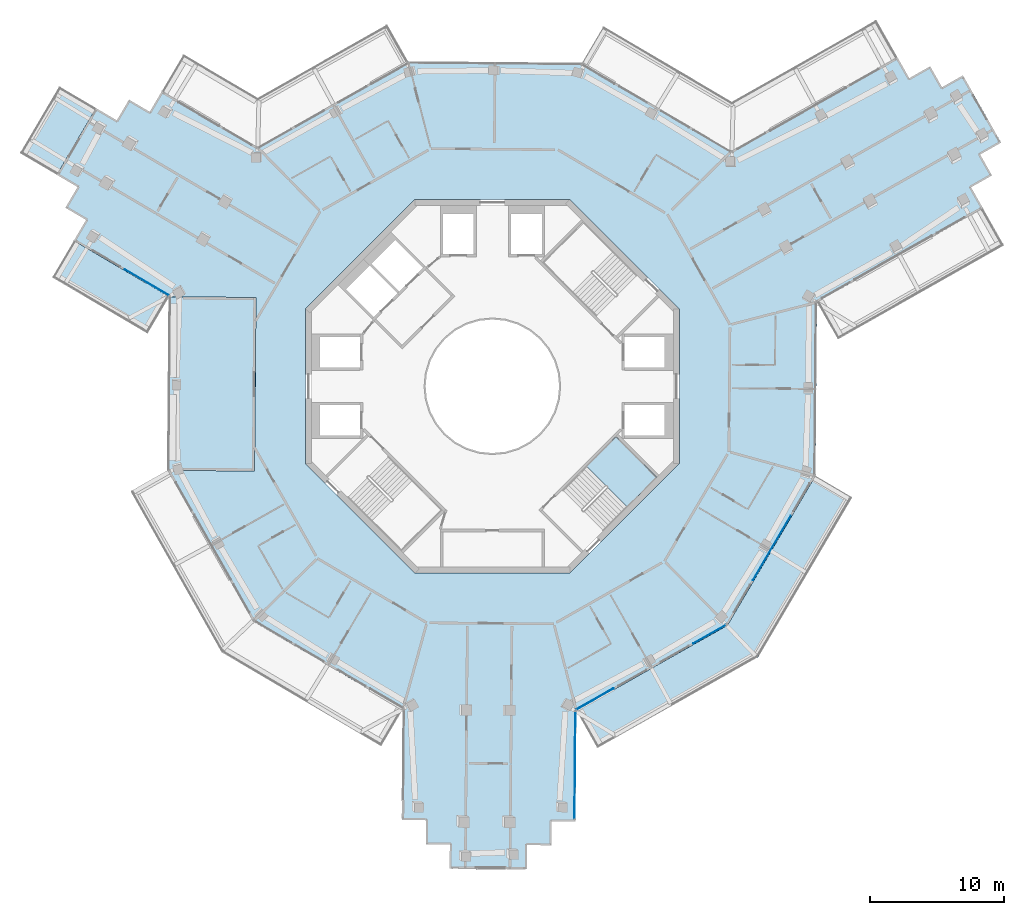
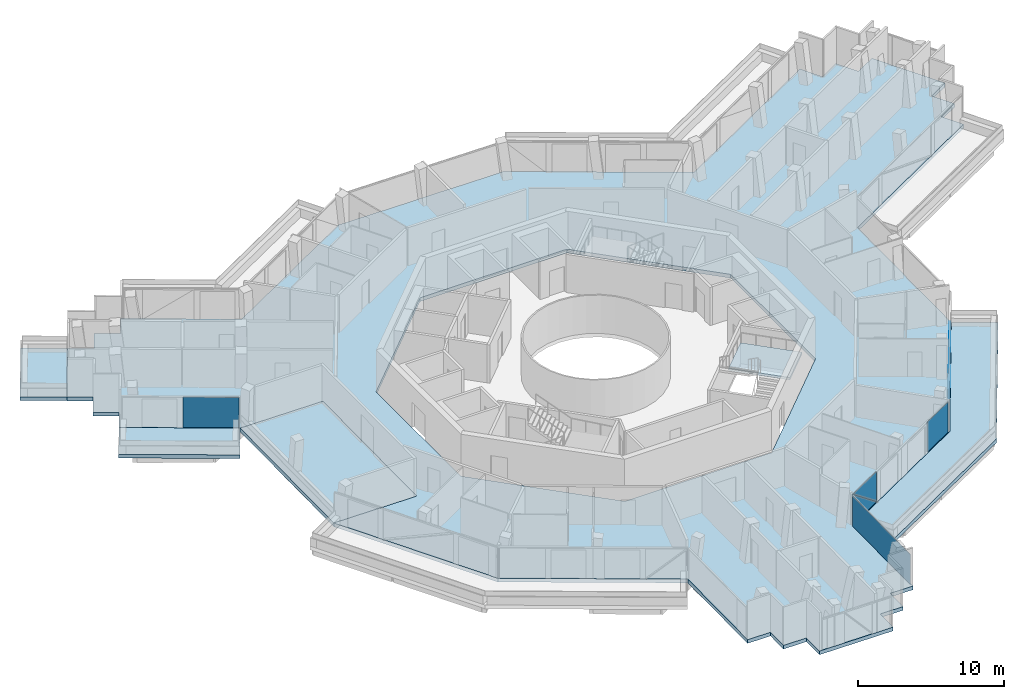
# One storey, part 12 of 24: 6 plates, 6 slabs, 5 elements without a shape of their own.
"""IFC4 building model written with IfcOpenShell, lengths in metres."""

from ifc_helpers import new_model, si_unit, direction, frame, origin, origin_2d, place, context, subcontext, project, spatial, polyline, rectangle, outline, extrude, material, layer, layer_set, type_object, element, aggregate, save


model = new_model("IFC4")

# Units and contexts
model_context = context("Model", 3, precision=1e-05, world=origin(), true_north=direction((0.0, 1.0)))
body_context = subcontext(model_context, "Body", "Model", "MODEL_VIEW")
ifc_project = project(units=[si_unit("LENGTHUNIT", "METRE"), si_unit("AREAUNIT", "SQUARE_METRE"), si_unit("VOLUMEUNIT", "CUBIC_METRE"), si_unit("PLANEANGLEUNIT", "RADIAN"), si_unit("MASSUNIT", "GRAM", prefix="KILO")], contexts=[model_context])

# Site, building, storey
site_placement = place(None, origin())
site = spatial("IfcSite", under=ifc_project, at=site_placement, CompositionType="ELEMENT")
building_placement = place(site_placement, origin())
building = spatial("IfcBuilding", under=site, at=building_placement, Name="Verdalira Terraces Hotel", CompositionType="ELEMENT")
storey_placement = place(building_placement, frame((0.0, 0.0, 277.5)))
storey = spatial("IfcBuildingStorey", under=building, at=storey_placement, Name="L68", CompositionType="ELEMENT", Elevation=277.5)

# Slabs
ifc_material_1 = material(Name="Precast concrete C40/50", Category="concrete")
ifc_layer_1 = layer(ifc_material_1, 0.31005859375)
ifc_layer_set_1 = layer_set([ifc_layer_1], Name="Balcony deck 310")
slab_type_1 = type_object("IfcSlabType", Name="Balcony deck 310", PredefinedType="FLOOR", material=ifc_layer_set_1)
slab_1_placement = place(storey_placement, frame((0.0, 0.0, -0.310059)))
element("IfcSlab", 1, at=slab_1_placement, inside=storey, type_object=slab_type_1, Name="Balcony deck", PredefinedType="FLOOR", context=body_context, shape_type="SweptSolid", body=[
    extrude(outline(polyline([(-35.379883, 17.45874), (-32.62207, 15.835449), (-29.680176, 20.833984), (-32.437988, 22.457275), (-35.379883, 17.45874)])), origin(), (0.0, 0.0, 1.0), 0.310059),
])
slab_2_placement = place(storey_placement, frame((0.0, 0.0, -0.310059)))
element("IfcSlab", 2, at=slab_2_placement, inside=storey, type_object=slab_type_1, Name="Balcony deck", PredefinedType="FLOOR", context=body_context, shape_type="SweptSolid", body=[
    extrude(outline(polyline([(-25.826172, 3.945312), (-24.203125, 6.702881), (-31.345703, 10.906982), (-32.968994, 8.14917), (-25.826172, 3.945312)])), origin(), (0.0, 0.0, 1.0), 0.310059),
])
slab_3_placement = place(storey_placement, frame((0.0, 0.0, -0.310059)))
element("IfcSlab", 3, at=slab_3_placement, inside=storey, type_object=slab_type_1, Name="Balcony deck", PredefinedType="FLOOR", context=body_context, shape_type="SweptSolid", body=[
    extrude(outline(polyline([(26.960693, -8.326172), (24.203125, -6.702881), (17.608887, -17.906494), (6.296631, -24.312012), (7.873291, -27.096436), (19.931885, -20.268555), (26.960693, -8.326172)])), origin(), (0.0, 0.0, 1.0), 0.310059),
])

# Curtain wall, plates
ifc_material_2 = material(Name="Clear glass", Category="glass")
ifc_layer_2 = layer(ifc_material_2, 0.14990234375)
ifc_layer_set_2 = layer_set([ifc_layer_2], Name="CW1 curtain wall")
curtain_wall_type_1 = type_object("IfcCurtainWallType", Name="CW1 curtain wall", PredefinedType="NOTDEFINED", material=ifc_layer_set_2)
curtain_wall_1_placement = place(storey_placement, origin())
curtain_wall_1 = element("IfcCurtainWall", 4, at=curtain_wall_1_placement, inside=storey, type_object=curtain_wall_type_1, Name="CW1 curtain wall L68 edge 25", PredefinedType="NOTDEFINED")
ifc_material_3 = material(Name="Clear glass", Category="glass")
ifc_layer_3 = layer(ifc_material_3, 0.028076171875)
ifc_layer_set_3 = layer_set([ifc_layer_3], Name="CW1 glass unit 28")
plate_type_1 = type_object("IfcPlateType", Name="CW1 glass unit 28", PredefinedType="CURTAIN_PANEL", material=ifc_layer_set_3)
plate_1_placement = place(storey_placement, frame((7.692871, -23.418945, 1.262451), z_axis=(0.492727342, -0.870183755, 0.0), x_axis=(0.870183755, 0.492727342, 0.0)))
plate_1 = element("IfcPlate", 5, at=plate_1_placement, type_object=plate_type_1, Name="CW1 glass unit", PredefinedType="CURTAIN_PANEL", context=body_context, shape_type="SweptSolid", body=[
    extrude(outline(polyline([(-1.594971, -1.262451), (1.594971, -1.262451), (-1.594971, 1.262451), (-1.594971, -1.262451)])), origin(), (0.0, 0.0, 1.0), 0.028076),
])
plate_2_placement = place(storey_placement, frame((7.678467, -23.393555, 1.262451), z_axis=(0.492727342, -0.870183755, 0.0), x_axis=(0.870183755, 0.492727342, 0.0)))
plate_2 = element("IfcPlate", 6, at=plate_2_placement, type_object=plate_type_1, Name="CW1 glass unit", PredefinedType="CURTAIN_PANEL", context=body_context, shape_type="SweptSolid", body=[
    extrude(outline(polyline([(1.594971, -1.262451), (1.594971, 1.262451), (-1.594971, 1.262451), (1.594971, -1.262451)])), origin(), (0.0, 0.0, 1.0), 0.028076),
])
plate_3_placement = place(storey_placement, frame((16.271484, -18.577637, 0.0), z_axis=(0.0, 0.0, 1.0), x_axis=(0.870183755, 0.492727342, 0.0)))
plate_3 = element("IfcPlate", 7, at=plate_3_placement, type_object=plate_type_1, Name="CW1 glass unit", PredefinedType="CURTAIN_PANEL", context=body_context, shape_type="SweptSolid", body=[
    extrude(rectangle(XDim=2.788574, YDim=0.028076, at=origin_2d()), origin(), (0.0, 0.0, 1.0), 2.524902),
])
aggregate(curtain_wall_1, [plate_1, plate_2, plate_3])

# Curtain wall, plate
curtain_wall_2_placement = place(storey_placement, origin())
curtain_wall_2 = element("IfcCurtainWall", 8, at=curtain_wall_2_placement, inside=storey, type_object=curtain_wall_type_1, Name="CW1 curtain wall L68 edge 26", PredefinedType="NOTDEFINED")
plate_4_placement = place(storey_placement, frame((20.932617, -12.111572, 0.0), z_axis=(0.0, 0.0, 1.0), x_axis=(0.507237567, 0.861806272, 0.0)))
plate_4 = element("IfcPlate", 9, at=plate_4_placement, type_object=plate_type_1, Name="CW1 glass unit", PredefinedType="CURTAIN_PANEL", context=body_context, shape_type="SweptSolid", body=[
    extrude(rectangle(XDim=5.586182, YDim=0.028076, at=origin_2d()), origin(), (0.0, 0.0, 1.0), 2.524902),
])
aggregate(curtain_wall_2, [plate_4])

ifc_material_4 = material(Name="Clear glass", Category="glass")
ifc_layer_4 = layer(ifc_material_4, 0.14990234375)
ifc_layer_set_4 = layer_set([ifc_layer_4], Name="CW2 curtain wall")
curtain_wall_type_2 = type_object("IfcCurtainWallType", Name="CW2 curtain wall", PredefinedType="NOTDEFINED", material=ifc_layer_set_4)
curtain_wall_3_placement = place(storey_placement, origin())
curtain_wall_3 = element("IfcCurtainWall", 10, at=curtain_wall_3_placement, inside=storey, type_object=curtain_wall_type_2, Name="CW2 curtain wall L68 edge 10", PredefinedType="NOTDEFINED")
ifc_material_5 = material(Name="Clear glass", Category="glass")
ifc_layer_5 = layer(ifc_material_5, 0.031982421875)
ifc_layer_set_5 = layer_set([ifc_layer_5], Name="CW2 glass unit 32")
plate_type_2 = type_object("IfcPlateType", Name="CW2 glass unit 32", PredefinedType="CURTAIN_PANEL", material=ifc_layer_set_5)
plate_5_placement = place(storey_placement, frame((-25.87915, 7.776611, 0.0), z_axis=(0.0, 0.0, 1.0), x_axis=(0.861806272, -0.507237567, 0.0)))
plate_5 = element("IfcPlate", 11, at=plate_5_placement, type_object=plate_type_2, Name="CW2 glass unit", PredefinedType="CURTAIN_PANEL", context=body_context, shape_type="SweptSolid", body=[
    extrude(rectangle(XDim=3.838135, YDim=0.031982, at=origin_2d()), origin(), (0.0, 0.0, 1.0), 2.524902),
])
aggregate(curtain_wall_3, [plate_5])

curtain_wall_4_placement = place(storey_placement, origin())
curtain_wall_4 = element("IfcCurtainWall", 12, at=curtain_wall_4_placement, inside=storey, type_object=curtain_wall_type_2, Name="CW2 curtain wall L68 edge 24", PredefinedType="NOTDEFINED")
plate_6_placement = place(storey_placement, frame((6.1875, -28.380127, 0.0), z_axis=(0.0, 0.0, 1.0), x_axis=(0.008377482, 0.999964908, 0.0)))
plate_6 = element("IfcPlate", 13, at=plate_6_placement, type_object=plate_type_2, Name="CW2 glass unit", PredefinedType="CURTAIN_PANEL", context=body_context, shape_type="SweptSolid", body=[
    extrude(rectangle(XDim=7.998047, YDim=0.031982, at=origin_2d()), origin(), (0.0, 0.0, 1.0), 2.524902),
])
aggregate(curtain_wall_4, [plate_6])

# Stair, slab
ifc_material_6 = material(Name="Concrete C40", Category="concrete")
stair_type = type_object("IfcStairType", Name="Core stair 20 risers 2125 mm wide", PredefinedType="HALF_TURN_STAIR", material=ifc_material_6)
stair_placement = place(storey_placement, origin())
stair = element("IfcStair", 14, at=stair_placement, inside=storey, type_object=stair_type, Name="L68 Exit stair ST3", PredefinedType="HALF_TURN_STAIR")
ifc_material_7 = material(Name="Concrete C40", Category="concrete")
ifc_layer_6 = layer(ifc_material_7, 0.199951171875)
ifc_layer_set_6 = layer_set([ifc_layer_6], Name="Core stair landing 200 mm")
slab_type_2 = type_object("IfcSlabType", Name="Core stair landing 200 mm", PredefinedType="LANDING", material=ifc_layer_set_6)
slab_4_placement = place(storey_placement, frame((0.0, 0.0, 1.550049)))
slab_4 = element("IfcSlab", 15, at=slab_4_placement, type_object=slab_type_2, Name="ST3 landing 1", PredefinedType="LANDING", context=body_context, shape_type="SweptSolid", body=[
    extrude(outline(polyline([(10.107666, -9.054932), (12.339111, -6.823486), (9.263184, -3.747559), (7.031738, -5.979004), (10.107666, -9.054932)])), origin(), (0.0, 0.0, 1.0), 0.199951),
])
aggregate(stair, [slab_4])

# Slabs
ifc_material_8 = material(Name="Concrete C40", Category="concrete")
ifc_layer_7 = layer(ifc_material_8, 0.31005859375)
ifc_layer_set_7 = layer_set([ifc_layer_7], Name="Floor slab 310 C40")
slab_type_3 = type_object("IfcSlabType", Name="Floor slab 310 C40", PredefinedType="FLOOR", material=ifc_layer_set_7)
slab_5_placement = place(storey_placement, frame((0.0, 0.0, -0.310059)))
element("IfcSlab", 16, at=slab_5_placement, inside=storey, type_object=slab_type_3, Name="Floor slab L68", PredefinedType="FLOOR", context=body_context, shape_type="SweptSolid", body=[
    extrude(outline(polyline([(-30.432617, 12.458252), (-31.345703, 10.906982), (-24.203613, 6.703369), (-24.203613, 6.703613), (-17.702637, 6.648926), (-17.811768, -6.351562), (-24.311523, -6.297119), (-17.906494, -17.608887), (-6.702881, -24.202881), (-6.772461, -32.490723), (-4.972412, -32.505859), (-4.987549, -34.305908), (-3.1875, -34.320801), (-3.202637, -36.12085), (2.597168, -36.169434), (2.612305, -34.369385), (4.412109, -34.384521), (4.427246, -32.584717), (6.227051, -32.599609), (6.296387, -24.312012), (17.608887, -17.906494), (24.202881, -6.702881), (24.312012, 6.296387), (36.745117, 13.33667), (35.858154, 14.903076), (37.424561, 15.789795), (36.537598, 17.356201), (38.104004, 18.243164), (35.246094, 23.290283), (33.679932, 22.40332), (32.792969, 23.969482), (31.226562, 23.082764), (30.3396, 24.648926), (17.906494, 17.608887), (6.702881, 24.202881), (-6.296387, 24.312012), (-17.608887, 17.906494), (-24.751709, 22.110596), (-25.664795, 20.559082), (-27.21582, 21.472412), (-28.128906, 19.920898), (-29.680176, 20.833984), (-32.622314, 15.835693), (-31.070801, 14.922607), (-31.983887, 13.371338), (-30.432617, 12.458252)]), holes=[polyline([(5.799072, 14.0), (14.0, 5.799072), (14.0, -5.799072), (5.799072, -14.0), (-5.799072, -14.0), (-14.0, -5.799072), (-14.0, 5.799072), (-5.799072, 14.0), (5.799072, 14.0)])]), origin(), (0.0, 0.0, 1.0), 0.310059),
])
ifc_material_9 = material(Name="Concrete C40", Category="concrete")
ifc_layer_8 = layer(ifc_material_9, 0.31005859375)
ifc_layer_set_8 = layer_set([ifc_layer_8], Name="Loggia floor deck 310 C40")
slab_type_4 = type_object("IfcSlabType", Name="Loggia floor deck 310 C40", PredefinedType="FLOOR", material=ifc_layer_set_8)
slab_6_placement = place(storey_placement, frame((0.0, 0.0, -0.310059)))
element("IfcSlab", 17, at=slab_6_placement, inside=storey, type_object=slab_type_4, Name="Loggia deck L68", PredefinedType="FLOOR", context=body_context, shape_type="SweptSolid", body=[
    extrude(outline(polyline([(-17.703369, 6.648438), (-24.202881, 6.702881), (-24.312012, -6.296387), (-17.812256, -6.351074), (-17.703369, 6.648438)])), origin(), (0.0, 0.0, 1.0), 0.310059),
])

save(model, "model.ifc")
